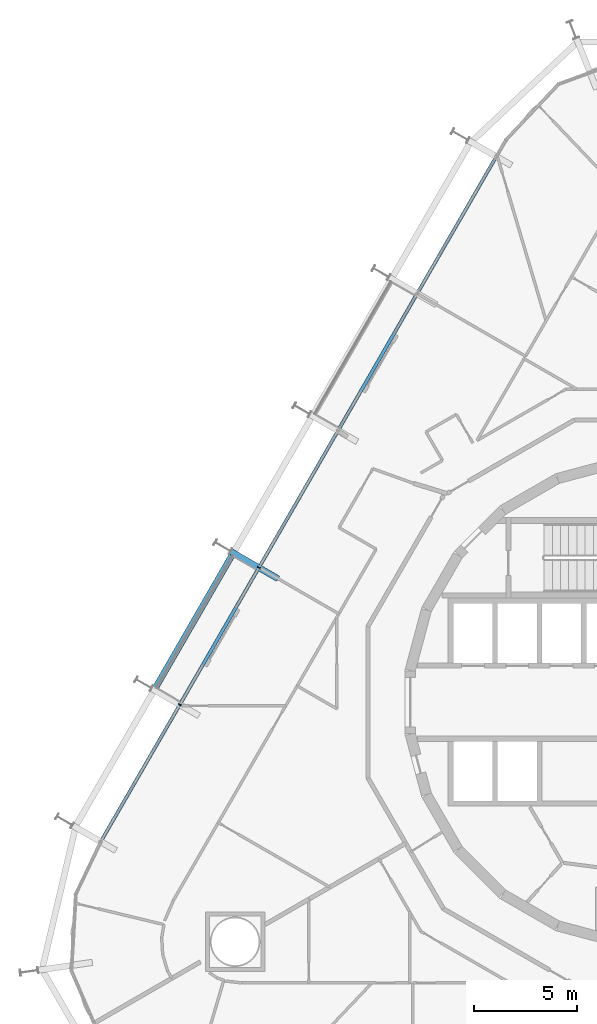
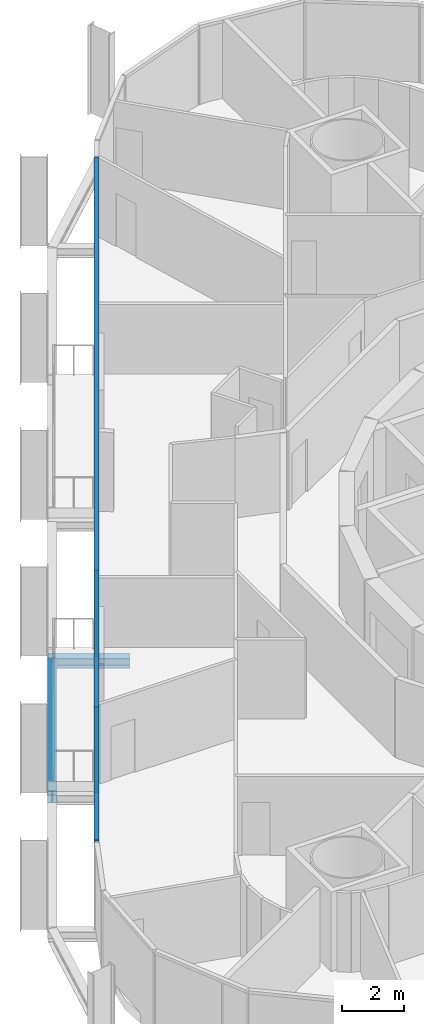
# One storey, part 5 of 20: 3 members, 2 beams, 1 element without a shape of its own.
"""IFC4 building model written with IfcOpenShell, lengths in metres."""

from ifc_helpers import new_model, si_unit, direction, frame, origin, origin_2d, place, context, subcontext, project, spatial, rectangle, i_section, extrude, material, layer, layer_set, material_profile, profile_set, type_object, element, aggregate, save


model = new_model("IFC4")

# Units and contexts
model_context = context("Model", 3, precision=1e-05, world=origin(), true_north=direction((0.0, 1.0)))
body_context = subcontext(model_context, "Body", "Model", "MODEL_VIEW")
ifc_project = project(units=[si_unit("LENGTHUNIT", "METRE"), si_unit("AREAUNIT", "SQUARE_METRE"), si_unit("VOLUMEUNIT", "CUBIC_METRE"), si_unit("PLANEANGLEUNIT", "RADIAN"), si_unit("MASSUNIT", "GRAM", prefix="KILO")], contexts=[model_context])

# Site, building, storey
site_placement = place(None, origin())
site = spatial("IfcSite", under=ifc_project, at=site_placement, CompositionType="ELEMENT")
building_placement = place(site_placement, origin())
building = spatial("IfcBuilding", under=site, at=building_placement, Name="Spindle Arch Residences", CompositionType="ELEMENT")
storey_placement = place(building_placement, frame((0.0, 0.0, 59.39990234375)))
storey = spatial("IfcBuildingStorey", under=building, at=storey_placement, Name="L13", CompositionType="ELEMENT", Elevation=59.39990234375)

# Curtain wall, members
ifc_material_1 = material(Name="Aluminium bronze unitised frame with tinted glass", Category="aluminium")
ifc_layer = layer(ifc_material_1, 0.159912109375)
ifc_layer_set = layer_set([ifc_layer], Name="CW-C typical residential unitised wall")
curtain_wall_type = type_object("IfcCurtainWallType", Name="CW-C typical residential unitised wall", PredefinedType="NOTDEFINED", material=ifc_layer_set)
curtain_wall_placement = place(storey_placement, origin())
curtain_wall = element("IfcCurtainWall", 1, at=curtain_wall_placement, inside=storey, type_object=curtain_wall_type, Name="CW-C L13 run 4", PredefinedType="NOTDEFINED")
ifc_material_2 = material(Name="Aluminium bronze anodised mullion", Category="aluminium")
ifc_material_profile_1 = material_profile(ifc_material_2, rectangle(XDim=0.159912109375, YDim=0.06005859375, at=origin_2d()), Name="MU 60x160")
ifc_profile_set_1 = profile_set([ifc_material_profile_1], Name="Aluminium bronze anodised mullion")
member_type_1 = type_object("IfcMemberType", Name="Bronze mullion 60x160", PredefinedType="MULLION", material=ifc_profile_set_1)
member_1_placement = place(storey_placement, frame((-18.9892578125, 6.529296875, -0.3798828125), z_axis=(0.0, 0.0, 1.0), x_axis=(0.866025403784, -0.5, 0.0)))
member_1 = element("IfcMember", 2, at=member_1_placement, type_object=member_type_1, Name="CW-C mullion 16", PredefinedType="MULLION", context=body_context, shape_type="SweptSolid", body=[
    extrude(rectangle(XDim=0.159912109375, YDim=0.06005859375, at=origin_2d()), origin(), (0.0, 0.0, 1.0), 3.3798828125),
])
member_2_placement = place(storey_placement, frame((-22.829345703125, -0.121826171875, -0.3798828125), z_axis=(0.0, 0.0, 1.0), x_axis=(0.866025403784, -0.5, 0.0)))
member_2 = element("IfcMember", 3, at=member_2_placement, type_object=member_type_1, Name="CW-C mullion 17", PredefinedType="MULLION", context=body_context, shape_type="SweptSolid", body=[
    extrude(rectangle(XDim=0.159912109375, YDim=0.06005859375, at=origin_2d()), origin(), (0.0, 0.0, 1.0), 3.3798828125),
])
ifc_material_3 = material(Name="Aluminium bronze anodised transom", Category="aluminium")
ifc_material_profile_2 = material_profile(ifc_material_3, rectangle(XDim=0.159912109375, YDim=0.1201171875, at=origin_2d()), Name="TR 120x160")
ifc_profile_set_2 = profile_set([ifc_material_profile_2], Name="Aluminium bronze anodised transom")
member_type_2 = type_object("IfcMemberType", Name="Bronze transom 120x160", PredefinedType="USERDEFINED", material=ifc_profile_set_2)
member_3_placement = place(storey_placement, frame((-7.484130859375, 26.456787109375, 3.06005859375), z_axis=(-0.50000099666, -0.866024828362, 0.0), x_axis=(0.866024828362, -0.50000099666, 0.0)))
member_3 = element("IfcMember", 4, at=member_3_placement, type_object=member_type_2, Name="CW-C transom 00", ObjectType="TRANSOM", PredefinedType="USERDEFINED", context=body_context, shape_type="SweptSolid", body=[
    extrude(rectangle(XDim=0.159912109375, YDim=0.1201171875, at=origin_2d()), origin(), (0.0, 0.0, 1.0), 38.34033203125),
])
aggregate(curtain_wall, [member_3, member_1, member_2])

# Beams
ifc_material_4 = material(Name="Steel S460ML, intumescent coating R 120", Category="steel")
ifc_material_profile_3 = material_profile(ifc_material_4, i_section(OverallWidth=0.300048828125, OverallDepth=0.5, WebThickness=0.014404296875, FlangeThickness=0.028076171875, FilletRadius=0.027099609375, at=origin_2d()), Name="HEB 500")
ifc_profile_set_3 = profile_set([ifc_material_profile_3], Name="Steel S460ML, intumescent coating R 120")
beam_type_1 = type_object("IfcBeamType", Name="Exoskeleton edge beam HEB 500", PredefinedType="BEAM", material=ifc_profile_set_3)
beam_1_placement = place(storey_placement, frame((-20.29541015625, 7.13330078125, -0.6298828125), z_axis=(-0.49998923004, -0.866031621735, 0.0), x_axis=(0.866031621735, -0.49998923004, 0.0)))
element("IfcBeam", 5, at=beam_1_placement, inside=storey, type_object=beam_type_1, Name="Exoskeleton edge beam 17", PredefinedType="BEAM", context=body_context, shape_type="SweptSolid", body=[
    extrude(i_section(OverallWidth=0.300048828125, OverallDepth=0.5, WebThickness=0.014404296875, FlangeThickness=0.028076171875, FilletRadius=0.027099609375, at=origin_2d()), origin(), (0.0, 0.0, 1.0), 7.420166015625),
])
ifc_material_5 = material(Name="Steel S460ML, intumescent coating R 120", Category="steel")
ifc_material_profile_4 = material_profile(ifc_material_5, i_section(OverallWidth=0.300048828125, OverallDepth=0.389892578125, WebThickness=0.010986328125, FlangeThickness=0.01904296875, FilletRadius=0.027099609375, at=origin_2d()), Name="HEA 400")
ifc_profile_set_4 = profile_set([ifc_material_profile_4], Name="Steel S460ML, intumescent coating R 120")
beam_type_2 = type_object("IfcBeamType", Name="Floor outrigger HEA 400", PredefinedType="BEAM", material=ifc_profile_set_4)
beam_2_placement = place(storey_placement, frame((-20.34912109375, 7.314453125, -0.574951171875), z_axis=(0.866052124492, -0.499953715521, 0.0), x_axis=(0.499953715521, 0.866052124492, 0.0)))
element("IfcBeam", 6, at=beam_2_placement, inside=storey, type_object=beam_type_2, Name="Floor outrigger 17", PredefinedType="BEAM", context=body_context, shape_type="SweptSolid", body=[
    extrude(i_section(OverallWidth=0.300048828125, OverallDepth=0.389892578125, WebThickness=0.010986328125, FlangeThickness=0.01904296875, FilletRadius=0.027099609375, at=origin_2d()), origin(), (0.0, 0.0, 1.0), 2.650146484375),
])

save(model, "model.ifc")
